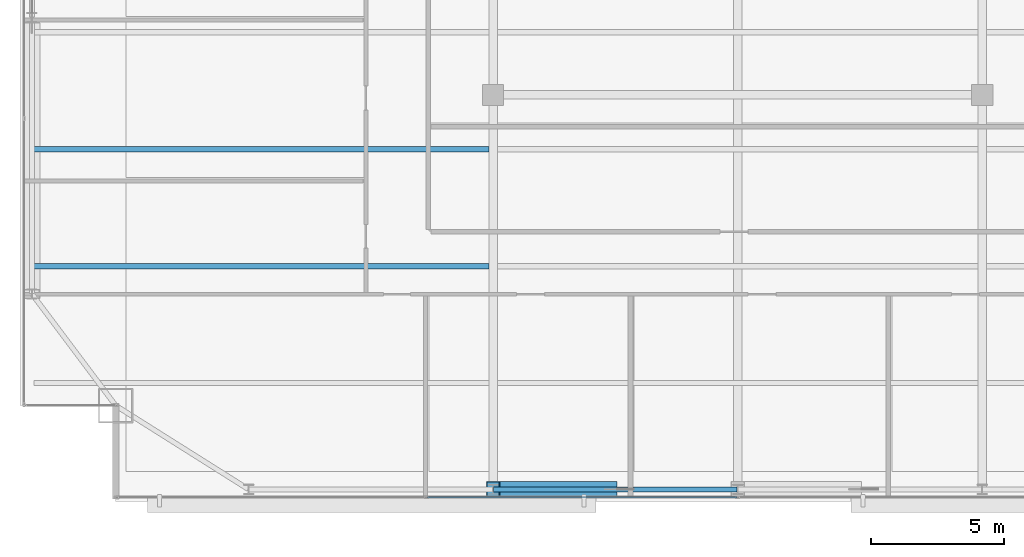
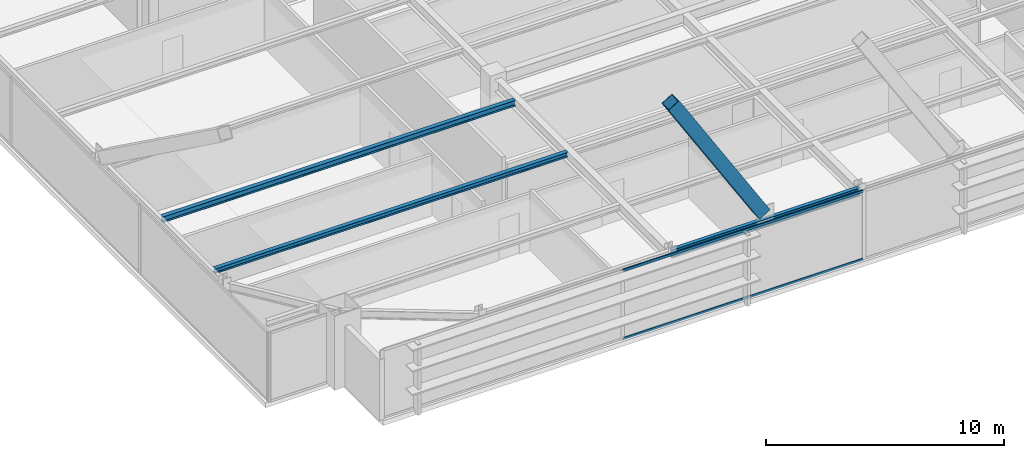
# One storey, part 8 of 30: 3 beams, 3 members, 1 element without a shape of its own.
"""IFC4 building model written with IfcOpenShell, lengths in metres."""

from ifc_helpers import new_model, si_unit, direction, frame, origin, origin_2d, place, context, subcontext, project, spatial, hollow_rectangle, i_section, extrude, source, transform, mapped, material, layer, layer_set, material_profile, profile_set, type_object, type_shapes, element, aggregate, save


model = new_model("IFC4")

# Units and contexts
model_context = context("Model", 3, precision=1e-05, world=origin(), true_north=direction((0.0, 1.0)))
body_context = subcontext(model_context, "Body", "Model", "MODEL_VIEW")
ifc_project = project(units=[si_unit("LENGTHUNIT", "METRE"), si_unit("AREAUNIT", "SQUARE_METRE"), si_unit("VOLUMEUNIT", "CUBIC_METRE"), si_unit("PLANEANGLEUNIT", "RADIAN"), si_unit("MASSUNIT", "GRAM", prefix="KILO")], contexts=[model_context])

# Site, building, storey
site_placement = place(None, origin())
site = spatial("IfcSite", under=ifc_project, at=site_placement, CompositionType="ELEMENT")
building_placement = place(site_placement, origin())
building = spatial("IfcBuilding", under=site, at=building_placement, Name="Varnel Quay Broadcast Tower", CompositionType="ELEMENT")
storey_placement = place(building_placement, frame((0.0, 0.0, 180.0)))
storey = spatial("IfcBuildingStorey", under=building, at=storey_placement, Name="L44", CompositionType="ELEMENT", Elevation=180.0)

# Beams
ifc_material_1 = material(Name="Structural Steel CSA G40.21 350W", Category="steel")
ifc_material_profile_1 = material_profile(ifc_material_1, i_section(OverallWidth=0.180908203125, OverallDepth=0.4169921875, WebThickness=0.010986328125, FlangeThickness=0.018310546875, FilletRadius=0.011962890625, at=origin_2d()), Name="W410X85")
ifc_profile_set_1 = profile_set([ifc_material_profile_1], Name="Structural Steel CSA G40.21 350W")
beam_type_1 = type_object("IfcBeamType", Name="Beam_W410X85", PredefinedType="SPANDREL", material=ifc_profile_set_1)
shared_shape_1 = source(origin(), body_context, "Body", "SweptSolid", [
    extrude(i_section(OverallWidth=0.180908203125, OverallDepth=0.4169921875, WebThickness=0.010986328125, FlangeThickness=0.018310546875, FilletRadius=0.011962890625, at=origin_2d()), origin(), (0.0, 0.0, 1.0), 9.159912109375),
])
type_shapes(beam_type_1, [shared_shape_1])
beam_1_placement = place(storey_placement, frame((24.820068359375, 7.64990234375, 3.341552734375), z_axis=(1.0, 0.0, 0.0), x_axis=(0.0, 1.0, 0.0)))
element("IfcBeam", 1, at=beam_1_placement, inside=storey, type_object=beam_type_1, Name="L44 South Spandrel TC-S2-TC-S3", PredefinedType="SPANDREL", context=body_context, shape_type="MappedRepresentation", body=[
    mapped(shared_shape_1, transform((0.0, 0.0, 0.0), x_axis=(1.0, 0.0, 0.0), y_axis=(0.0, 1.0, 0.0), z_axis=(0.0, 0.0, 1.0), scale=1.0)),
])
ifc_material_profile_2 = material_profile(ifc_material_1, i_section(OverallWidth=0.202880859375, OverallDepth=0.302978515625, WebThickness=0.007568359375, FlangeThickness=0.01318359375, FilletRadius=0.011962890625, at=origin_2d()), Name="W310X60")
ifc_profile_set_2 = profile_set([ifc_material_profile_2], Name="Structural Steel CSA G40.21 350W")
beam_type_2 = type_object("IfcBeamType", Name="Beam_W310X60", PredefinedType="JOIST", material=ifc_profile_set_2)
shared_shape_2 = source(origin(), body_context, "Body", "SweptSolid", [
    extrude(i_section(OverallWidth=0.202880859375, OverallDepth=0.302978515625, WebThickness=0.007568359375, FlangeThickness=0.01318359375, FilletRadius=0.011962890625, at=origin_2d()), origin(), (0.0, 0.0, 1.0), 17.107177734375),
])
type_shapes(beam_type_2, [shared_shape_2])
beam_2_placement = place(storey_placement, frame((7.535400390625, 20.449951171875, 3.3984375), z_axis=(1.0, 0.0, 0.0), x_axis=(0.0, 1.0, 0.0)))
element("IfcBeam", 2, at=beam_2_placement, inside=storey, type_object=beam_type_2, Name="L44 West Floor Joist 3", PredefinedType="JOIST", context=body_context, shape_type="MappedRepresentation", body=[
    mapped(shared_shape_2, transform((0.0, 0.0, 0.0), x_axis=(1.0, 0.0, 0.0), y_axis=(0.0, 1.0, 0.0), z_axis=(0.0, 0.0, 1.0), scale=1.0)),
])
ifc_material_profile_3 = material_profile(ifc_material_1, i_section(OverallWidth=0.201904296875, OverallDepth=0.2470703125, WebThickness=0.00732421875, FlangeThickness=0.010986328125, FilletRadius=0.010986328125, at=origin_2d()), Name="W250X49")
ifc_profile_set_3 = profile_set([ifc_material_profile_3], Name="Structural Steel CSA G40.21 350W")
beam_type_3 = type_object("IfcBeamType", Name="Beam_W250X49", PredefinedType="JOIST", material=ifc_profile_set_3)
shared_shape_3 = source(origin(), body_context, "Body", "SweptSolid", [
    extrude(i_section(OverallWidth=0.201904296875, OverallDepth=0.2470703125, WebThickness=0.00732421875, FlangeThickness=0.010986328125, FilletRadius=0.010986328125, at=origin_2d()), origin(), (0.0, 0.0, 1.0), 17.107177734375),
])
type_shapes(beam_type_3, [shared_shape_3])
beam_3_placement = place(storey_placement, frame((7.535400390625, 16.050048828125, 3.426513671875), z_axis=(1.0, 0.0, 0.0), x_axis=(0.0, 1.0, 0.0)))
element("IfcBeam", 3, at=beam_3_placement, inside=storey, type_object=beam_type_3, Name="L44 West Floor Joist 2", PredefinedType="JOIST", context=body_context, shape_type="MappedRepresentation", body=[
    mapped(shared_shape_3, transform((0.0, 0.0, 0.0), x_axis=(1.0, 0.0, 0.0), y_axis=(0.0, 1.0, 0.0), z_axis=(0.0, 0.0, 1.0), scale=1.0)),
])

# Member
ifc_material_2 = material(Name="Structural Steel CSA G40.21 350WT", Category="steel")
ifc_material_profile_4 = material_profile(ifc_material_2, hollow_rectangle(XDim=0.60009765625, YDim=0.60009765625, WallThickness=0.028076171875, at=origin_2d()), Name="BOX600X600X28")
ifc_profile_set_4 = profile_set([ifc_material_profile_4], Name="Structural Steel CSA G40.21 350WT")
member_type_1 = type_object("IfcMemberType", Name="Brace_BOX600X600X28", PredefinedType="BRACE", material=ifc_profile_set_4)
shared_shape_4 = source(origin(), body_context, "Body", "SweptSolid", [
    extrude(hollow_rectangle(XDim=0.60009765625, YDim=0.60009765625, WallThickness=0.028076171875, at=origin_2d()), origin(), (0.0, 0.0, 1.0), 8.38671875),
])
type_shapes(member_type_1, [shared_shape_4])
member_1_placement = place(storey_placement, frame((29.21044921875, 7.64990234375, 3.966552734375), z_axis=(-0.525871495166, 0.0, 0.850564030848), x_axis=(0.0, -1.0, 0.0)))
element("IfcMember", 4, at=member_1_placement, inside=storey, type_object=member_type_1, Name="Zone 3 Mega-Brace S-C1T3 Split Diag B2", PredefinedType="BRACE", context=body_context, shape_type="MappedRepresentation", body=[
    mapped(shared_shape_4, transform((0.0, 0.0, 0.0), x_axis=(1.0, 0.0, 0.0), y_axis=(0.0, 1.0, 0.0), z_axis=(0.0, 0.0, 1.0), scale=1.0)),
])

# Curtain wall, members
ifc_material_3 = material(Name="Anodised Bronze Aluminium 6063-T6", Category="aluminium")
ifc_layer = layer(ifc_material_3, 0.18994140625, Name="Anodised Bronze Aluminium 6063-T6")
ifc_layer_set = layer_set([ifc_layer], Name="Anodised Bronze Aluminium 6063-T6")
curtain_wall_type = type_object("IfcCurtainWallType", Name="CW_UpperTower", PredefinedType="NOTDEFINED", material=ifc_layer_set)
curtain_wall_placement = place(storey_placement, origin())
curtain_wall = element("IfcCurtainWall", 5, at=curtain_wall_placement, inside=storey, type_object=curtain_wall_type, Name="L44 South Unitised Curtain Wall 1", PredefinedType="NOTDEFINED")
ifc_material_profile_5 = material_profile(ifc_material_3, hollow_rectangle(XDim=0.06005859375, YDim=0.125, WallThickness=0.0029296875, at=origin_2d()), Name="ALU60X125X3")
ifc_profile_set_5 = profile_set([ifc_material_profile_5], Name="Anodised Bronze Aluminium 6063-T6")
member_type_2 = type_object("IfcMemberType", Name="Tran_CWS-03", PredefinedType="USERDEFINED", material=ifc_profile_set_5)
shared_shape_5 = source(origin(), body_context, "Body", "SweptSolid", [
    extrude(hollow_rectangle(XDim=0.06005859375, YDim=0.125, WallThickness=0.0029296875, at=origin_2d()), origin(), (0.0, 0.0, 1.0), 11.635009765625),
])
type_shapes(member_type_2, [shared_shape_5])
member_2_placement = place(storey_placement, frame((22.33251953125, 7.35009765625, 0.030029296875), z_axis=(1.0, 0.0, 0.0), x_axis=(0.0, 1.0, 0.0)))
member_2 = element("IfcMember", 6, at=member_2_placement, type_object=member_type_2, Name="CWS-03 transom 2.1", ObjectType="TRANSOM", PredefinedType="USERDEFINED", context=body_context, shape_type="MappedRepresentation", body=[
    mapped(shared_shape_5, transform((0.0, 0.0, 0.0), x_axis=(1.0, 0.0, 0.0), y_axis=(0.0, 1.0, 0.0), z_axis=(0.0, 0.0, 1.0), scale=1.0)),
])
member_3_placement = place(storey_placement, frame((22.33251953125, 7.35009765625, 3.52001953125), z_axis=(1.0, 0.0, 0.0), x_axis=(0.0, 1.0, 0.0)))
member_3 = element("IfcMember", 7, at=member_3_placement, type_object=member_type_2, Name="CWS-03 transom 2.2", ObjectType="TRANSOM", PredefinedType="USERDEFINED", context=body_context, shape_type="MappedRepresentation", body=[
    mapped(shared_shape_5, transform((0.0, 0.0, 0.0), x_axis=(1.0, 0.0, 0.0), y_axis=(0.0, 1.0, 0.0), z_axis=(0.0, 0.0, 1.0), scale=1.0)),
])
aggregate(curtain_wall, [member_2, member_3])

save(model, "model.ifc")
